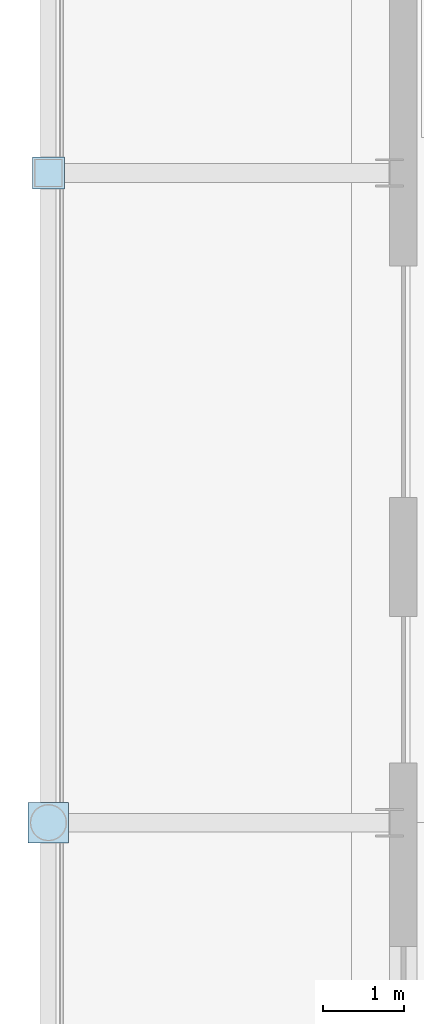
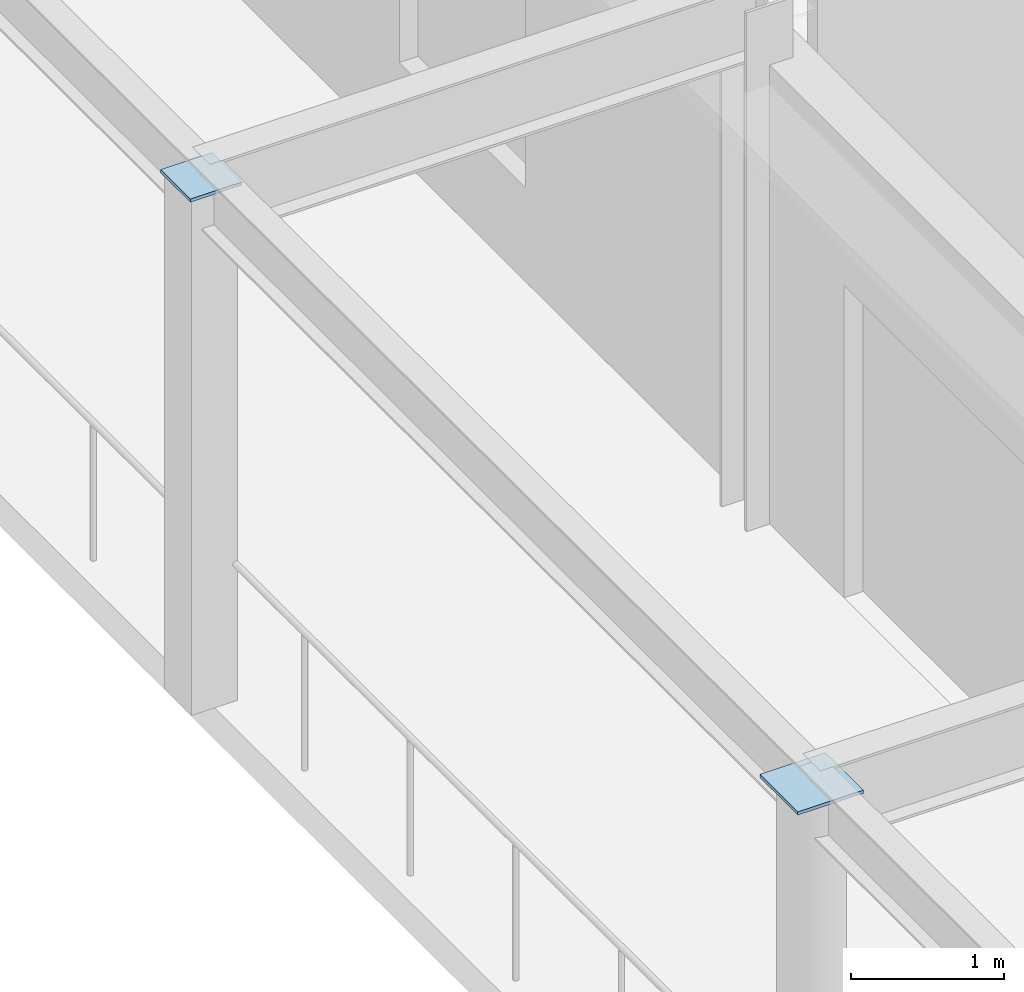
# One storey, part 69 of 107: 2 plates.
"""IFC4 building model written with IfcOpenShell, lengths in metres."""

from ifc_helpers import new_model, si_unit, direction, frame, origin, origin_2d, place, context, subcontext, project, spatial, rectangle, extrude, material, layer, layer_set, type_object, element, save


model = new_model("IFC4")

# Units and contexts
model_context = context("Model", 3, precision=1e-05, world=origin(), true_north=direction((0.0, 1.0)))
body_context = subcontext(model_context, "Body", "Model", "MODEL_VIEW")
ifc_project = project(units=[si_unit("LENGTHUNIT", "METRE"), si_unit("AREAUNIT", "SQUARE_METRE"), si_unit("VOLUMEUNIT", "CUBIC_METRE"), si_unit("PLANEANGLEUNIT", "RADIAN"), si_unit("MASSUNIT", "GRAM", prefix="KILO")], contexts=[model_context])

# Site, building, storey
site_placement = place(None, origin())
site = spatial("IfcSite", under=ifc_project, at=site_placement, CompositionType="ELEMENT")
building_placement = place(site_placement, origin())
building = spatial("IfcBuilding", under=site, at=building_placement, Name="Kalgoora Escarpment Arena", CompositionType="ELEMENT")
storey_placement = place(building_placement, frame((0.0, 0.0, 5.39990234375)))
storey = spatial("IfcBuildingStorey", under=building, at=storey_placement, Name="L01", CompositionType="ELEMENT", Elevation=5.39990234375)

# Plates
ifc_material_1 = material(Name="Structural steel Grade 350 (350 MPa)", Category="steel")
ifc_layer_1 = layer(ifc_material_1, 0.02490234375)
ifc_layer_set_1 = layer_set([ifc_layer_1], Name="PLT-CAP-350")
plate_type_1 = type_object("IfcPlateType", Name="PLT-CAP-350", PredefinedType="USERDEFINED", material=ifc_layer_set_1)
plate_1_placement = place(storey_placement, frame((0.0, 72.0, 4.125244140625), z_axis=(0.0, 0.0, 1.0), x_axis=(1.0, 0.0, 0.0)))
element("IfcPlate", 1, at=plate_1_placement, inside=storey, type_object=plate_type_1, Name="COL-G1-K-L01 end cap plate", ObjectType="FLANGE PLATE", PredefinedType="USERDEFINED", context=body_context, shape_type="SweptSolid", body=[
    extrude(rectangle(XDim=0.389892578125, YDim=0.389892578125, at=origin_2d()), origin(), (0.0, 0.0, 1.0), 0.02490234375),
])
ifc_material_2 = material(Name="Structural steel Grade 350 (350 MPa)", Category="steel")
ifc_layer_2 = layer(ifc_material_2, 0.02490234375)
ifc_layer_set_2 = layer_set([ifc_layer_2], Name="PLT-CAP-457")
plate_type_2 = type_object("IfcPlateType", Name="PLT-CAP-457", PredefinedType="USERDEFINED", material=ifc_layer_set_2)
plate_2_placement = place(storey_placement, frame((0.0, 64.0, 4.125244140625), z_axis=(0.0, 0.0, 1.0), x_axis=(1.0, 0.0, 0.0)))
element("IfcPlate", 2, at=plate_2_placement, inside=storey, type_object=plate_type_2, Name="COL-G1-J-L01 end cap plate", ObjectType="FLANGE PLATE", PredefinedType="USERDEFINED", context=body_context, shape_type="SweptSolid", body=[
    extrude(rectangle(XDim=0.4970703125, YDim=0.4970703125, at=origin_2d()), origin(), (0.0, 0.0, 1.0), 0.02490234375),
])

save(model, "model.ifc")
